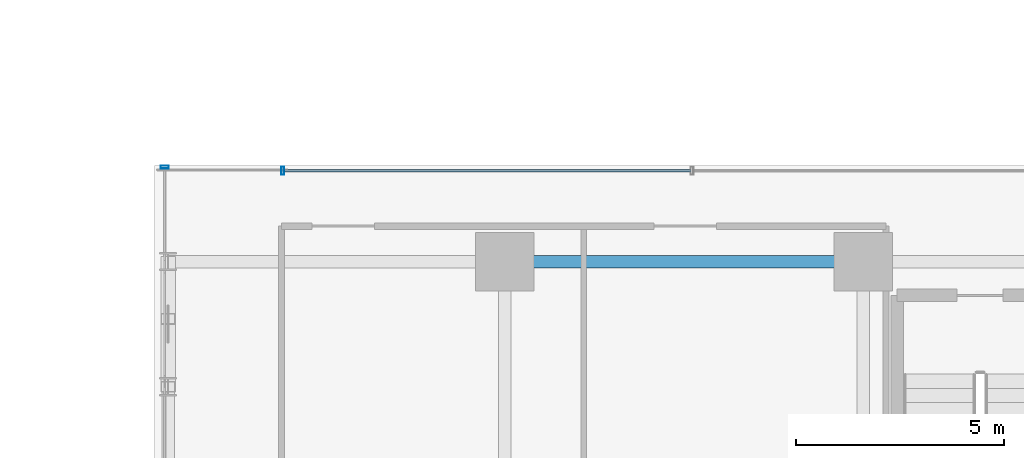
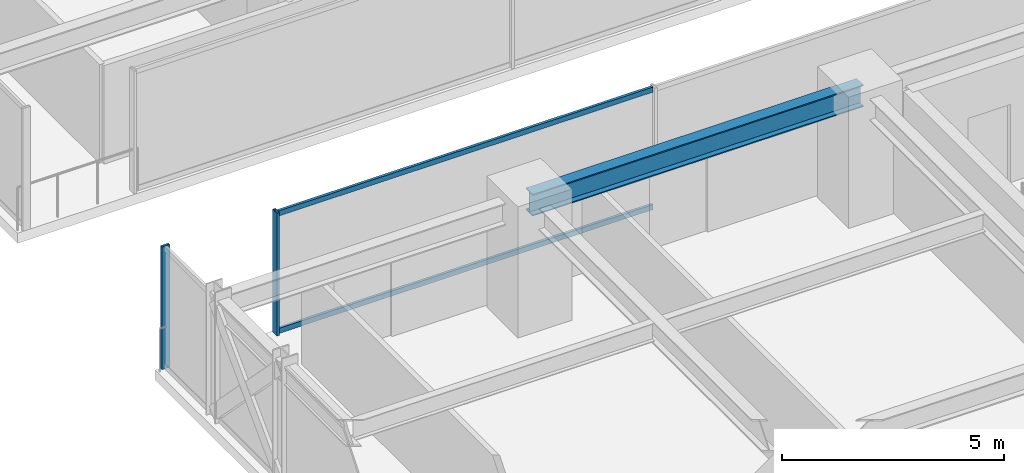
# One storey, part 9 of 42: 4 members, 1 beam, 2 elements without a shape of their own.
"""IFC4 building model written with IfcOpenShell, lengths in metres."""

from ifc_helpers import new_model, si_unit, direction, frame, origin, origin_2d, place, context, subcontext, project, spatial, hollow_rectangle, i_section, extrude, source, transform, mapped, material, material_profile, profile_set, type_object, element, aggregate, save


model = new_model("IFC4")

# Units and contexts
model_context = context("Model", 3, precision=1e-05, world=origin(), true_north=direction((0.0, 1.0)))
body_context = subcontext(model_context, "Body", "Model", "MODEL_VIEW")
ifc_project = project(units=[si_unit("LENGTHUNIT", "METRE"), si_unit("AREAUNIT", "SQUARE_METRE"), si_unit("VOLUMEUNIT", "CUBIC_METRE"), si_unit("PLANEANGLEUNIT", "RADIAN"), si_unit("MASSUNIT", "GRAM", prefix="KILO")], contexts=[model_context])

# Site, building, storey
site_placement = place(None, origin())
site = spatial("IfcSite", under=ifc_project, at=site_placement, CompositionType="ELEMENT")
building_placement = place(site_placement, origin())
building = spatial("IfcBuilding", under=site, at=building_placement, Name="Nahalor Promenade Grand Hotel", CompositionType="ELEMENT")
storey_placement = place(building_placement, frame((0.0, 0.0, 61.60009765625)))
storey = spatial("IfcBuildingStorey", under=building, at=storey_placement, Name="L14", CompositionType="ELEMENT", Elevation=61.60009765625)

# Beam
ifc_material_1 = material(Name="Steel S355JR", Category="steel")
ifc_material_profile_1 = material_profile(ifc_material_1, i_section(OverallWidth=0.3, OverallDepth=0.6, WebThickness=0.0155, FlangeThickness=0.03, at=origin_2d()), Name="HEB 600")
ifc_profile_set_1 = profile_set([ifc_material_profile_1], Name="Steel S355JR")
beam_type = type_object("IfcBeamType", Name="Beam-Girder-HEB600", PredefinedType="BEAM", material=ifc_profile_set_1)
shared_shape_1 = source(origin(), body_context, "Body", "SweptSolid", [
    extrude(i_section(OverallWidth=0.3, OverallDepth=0.6, WebThickness=0.0155, FlangeThickness=0.03, at=origin_2d()), origin(), (0.0, 0.0, 1.0), 8.60009765625),
])
beam_placement = place(storey_placement, frame((-17.0, -5.39990234375, 3.06982421875), z_axis=(1.0, 0.0, 0.0), x_axis=(0.0, 1.0, 0.0)))
element("IfcBeam", 1, at=beam_placement, inside=storey, type_object=beam_type, Name="BM-L14-GX-1-1", PredefinedType="BEAM", context=body_context, shape_type="MappedRepresentation", body=[
    mapped(shared_shape_1, transform((0.0, 0.0, 0.0), scale=1.0)),
])

# Curtain wall, member
ifc_material_2 = material(Name="Anodised Bronze Aluminium EN AW-6063 T6", Category="aluminium")
curtain_wall_type = type_object("IfcCurtainWallType", Name="CW3 Elliptical-Void Collar Unitised Curtain Wall", PredefinedType="USERDEFINED", material=ifc_material_2)
curtain_wall_1_placement = place(storey_placement, origin())
curtain_wall_1 = element("IfcCurtainWall", 2, at=curtain_wall_1_placement, inside=storey, type_object=curtain_wall_type, Name="L14 Curtain Wall CW-L14-W-1", ObjectType="UNITISED_CURTAIN_WALL", PredefinedType="USERDEFINED")
ifc_material_profile_2 = material_profile(ifc_material_2, hollow_rectangle(XDim=0.07, YDim=0.2, WallThickness=0.005, at=origin_2d()), Name="CWM 70x200x5")
ifc_profile_set_2 = profile_set([ifc_material_profile_2], Name="Anodised Bronze Aluminium EN AW-6063 T6")
member_type_1 = type_object("IfcMemberType", Name="CWM3 Void Collar Mullion 70x200", PredefinedType="MULLION", material=ifc_profile_set_2)
shared_shape_2 = source(origin(), body_context, "Body", "SweptSolid", [
    extrude(hollow_rectangle(XDim=0.07, YDim=0.2, WallThickness=0.005, at=origin_2d()), origin(), (0.0, 0.0, 1.0), 3.369873046875),
])
member_1_placement = place(storey_placement, frame((-25.159912109375, -3.135009765625, 0.0), z_axis=(0.0, 0.0, 1.0), x_axis=(0.0, 1.0, 0.0)))
member_1 = element("IfcMember", 3, at=member_1_placement, type_object=member_type_1, Name="CW-L14-W-1 Mullion 2", PredefinedType="MULLION", context=body_context, shape_type="MappedRepresentation", body=[
    mapped(shared_shape_2, transform((0.0, 0.0, 0.0), scale=1.0)),
])
aggregate(curtain_wall_1, [member_1])

# Curtain wall, members
curtain_wall_2_placement = place(storey_placement, origin())
curtain_wall_2 = element("IfcCurtainWall", 4, at=curtain_wall_2_placement, inside=storey, type_object=curtain_wall_type, Name="L14 Curtain Wall CW-L14-VOID-WS1", ObjectType="UNITISED_CURTAIN_WALL", PredefinedType="USERDEFINED")
member_2_placement = place(storey_placement, frame((-22.324951171875, -3.219970703125, 0.0), z_axis=(0.0, 0.0, 1.0), x_axis=(1.0, 0.0, 0.0)))
member_2 = element("IfcMember", 5, at=member_2_placement, type_object=member_type_1, Name="CW-L14-VOID-WS1 Mullion 0", PredefinedType="MULLION", context=body_context, shape_type="MappedRepresentation", body=[
    mapped(shared_shape_2, transform((0.0, 0.0, 0.0), scale=1.0)),
])
ifc_material_profile_3 = material_profile(ifc_material_2, hollow_rectangle(XDim=0.07, YDim=0.14, WallThickness=0.004, at=origin_2d()), Name="CWT 70x140x4")
ifc_profile_set_3 = profile_set([ifc_material_profile_3], Name="Anodised Bronze Aluminium EN AW-6063 T6")
member_type_2 = type_object("IfcMemberType", Name="CWT3 Void Collar Transom 70x140", PredefinedType="USERDEFINED", material=ifc_profile_set_3)
shared_shape_3 = source(origin(), body_context, "Body", "SweptSolid", [
    extrude(hollow_rectangle(XDim=0.07, YDim=0.14, WallThickness=0.004, at=origin_2d()), origin(), (0.0, 0.0, 1.0), 9.748291015625),
])
member_3_placement = place(storey_placement, frame((-22.2900390625, -3.219970703125, 0.06982421875), z_axis=(1.0, 0.0, 0.0), x_axis=(0.0, 1.0, 0.0)))
member_3 = element("IfcMember", 6, at=member_3_placement, type_object=member_type_2, Name="CW-L14-VOID-WS1 Transom 0-0", ObjectType="TRANSOM", PredefinedType="USERDEFINED", context=body_context, shape_type="MappedRepresentation", body=[
    mapped(shared_shape_3, transform((0.0, 0.0, 0.0), scale=1.0)),
])
member_4_placement = place(storey_placement, frame((-22.2900390625, -3.219970703125, 3.2998046875), z_axis=(1.0, 0.0, 0.0), x_axis=(0.0, 1.0, 0.0)))
member_4 = element("IfcMember", 7, at=member_4_placement, type_object=member_type_2, Name="CW-L14-VOID-WS1 Transom 0-1", ObjectType="TRANSOM", PredefinedType="USERDEFINED", context=body_context, shape_type="MappedRepresentation", body=[
    mapped(shared_shape_3, transform((0.0, 0.0, 0.0), scale=1.0)),
])
aggregate(curtain_wall_2, [member_2, member_3, member_4])

save(model, "model.ifc")
